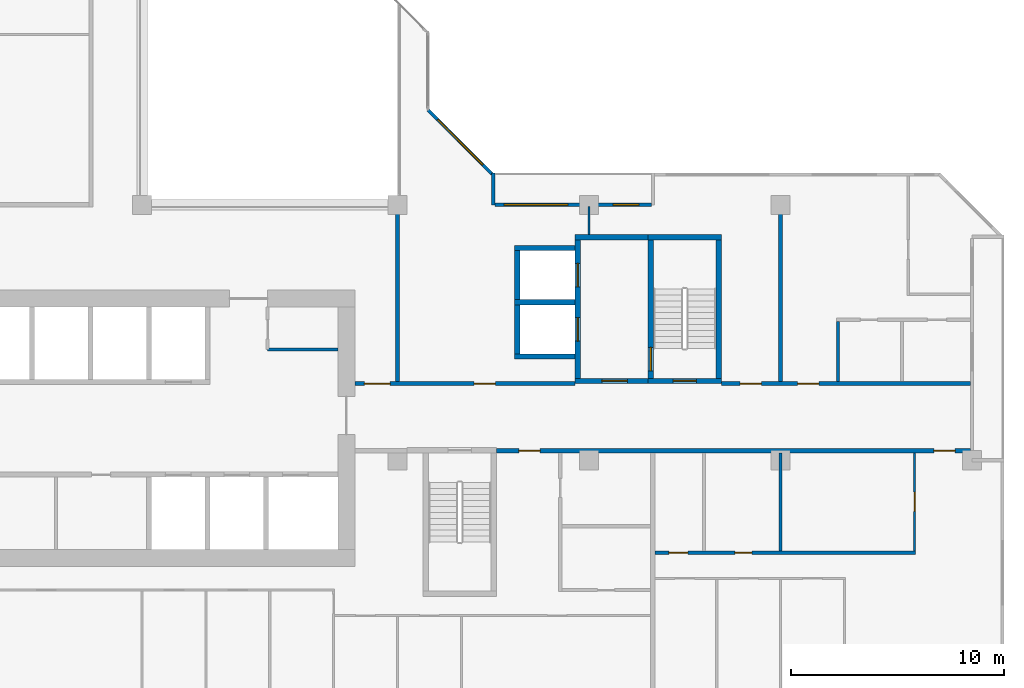
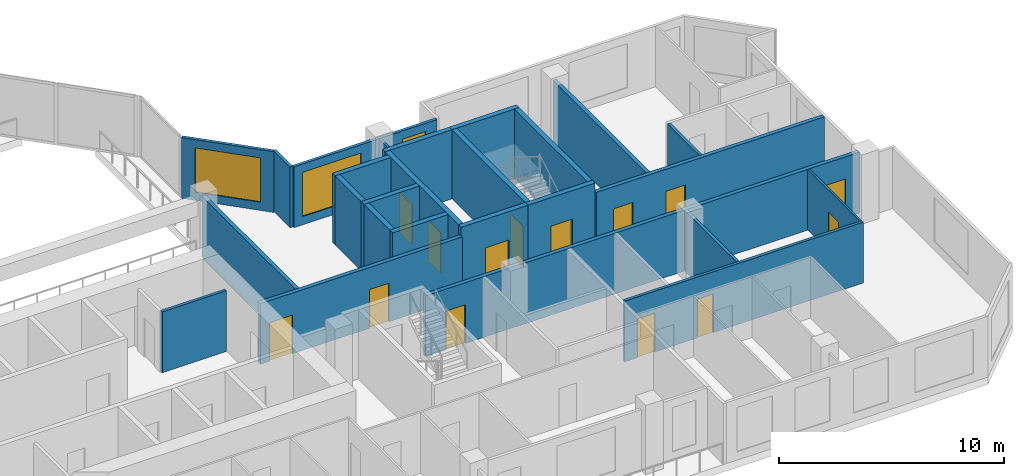
# One storey, part 7 of 15: 26 walls, 14 doors, 3 windows, 17 openings.
"""IFC4 building model written with IfcOpenShell, lengths in metres."""

from ifc_helpers import new_model, si_unit, direction, frame, frame_2d, origin, place, context, subcontext, project, spatial, rectangle, extrude, material, layer, layer_set, type_object, element, fill, save


model = new_model("IFC4")

# Units and contexts
model_context = context("Model", 3, precision=1e-05, world=origin(), true_north=direction((0.0, 1.0)))
body_context = subcontext(model_context, "Body", "Model", "MODEL_VIEW")
ifc_project = project(units=[si_unit("LENGTHUNIT", "METRE"), si_unit("AREAUNIT", "SQUARE_METRE"), si_unit("VOLUMEUNIT", "CUBIC_METRE"), si_unit("PLANEANGLEUNIT", "RADIAN"), si_unit("MASSUNIT", "GRAM", prefix="KILO")], contexts=[model_context])

# Site, building, storey
site_placement = place(None, origin())
site = spatial("IfcSite", under=ifc_project, at=site_placement, CompositionType="ELEMENT")
building_placement = place(site_placement, origin())
building = spatial("IfcBuilding", under=site, at=building_placement, Name="Chenar Terraces", CompositionType="ELEMENT")
storey_placement = place(building_placement, frame((0.0, 0.0, 202.39990234375)))
storey = spatial("IfcBuildingStorey", under=building, at=storey_placement, Name="L47", CompositionType="ELEMENT", Elevation=202.39990234375)

# Wall
ifc_material_1 = material(Name="Gypsum board on steel studs", Category="steel")
ifc_layer_1 = layer(ifc_material_1, 0.14990234375)
ifc_layer_set_1 = layer_set([ifc_layer_1], Name="Gypsum board on steel studs")
wall_type_1 = type_object("IfcWallType", Name="Core partition 150 gypsum board", PredefinedType="PARTITIONING", material=ifc_layer_set_1)
wall_1_placement = place(storey_placement, frame((29.89990234375, 17.199951171875, 0.0), z_axis=(0.0, 0.0, 1.0), x_axis=(1.0, 0.0, 0.0)))
element("IfcWall", 1, at=wall_1_placement, inside=storey, type_object=wall_type_1, Name="Core partition CP1 vestibule room south wall", PredefinedType="PARTITIONING", context=body_context, shape_type="SweptSolid", body=[
    extrude(rectangle(XDim=3.300048828125, YDim=0.14990234375, at=frame_2d((1.64990234375, 0.0))), origin(), (0.0, 0.0, 1.0), 3.300048828125),
])

# Wall, opening, door
ifc_material_2 = material(Name="Concrete C60/75", Category="concrete")
ifc_layer_2 = layer(ifc_material_2, 0.25)
ifc_layer_set_2 = layer_set([ifc_layer_2], Name="Concrete C60/75")
wall_type_2 = type_object("IfcWallType", Name="Core wall 250 Concrete C60/75", PredefinedType="SHEAR", material=ifc_layer_set_2)
wall_2_placement = place(storey_placement, frame((47.77490234375, 15.72509765625, 0.0), z_axis=(0.0, 0.0, 1.0), x_axis=(1.0, 0.0, 0.0)))
wall_2 = element("IfcWall", 2, at=wall_2_placement, inside=storey, type_object=wall_type_2, Name="Core wall ST3_S L47", PredefinedType="SHEAR", context=body_context, shape_type="SweptSolid", body=[
    extrude(rectangle(XDim=3.4501953125, YDim=0.25, at=frame_2d((1.72509765625, 0.0))), origin(), (0.0, 0.0, 1.0), 3.75),
])
opening_1_placement = place(wall_2_placement, frame((1.175048828125, 0.0, 0.0)))
opening_1 = element("IfcOpeningElement", 3, at=opening_1_placement, cuts=wall_2, Name="Opening DL47-C8", PredefinedType="OPENING", context=body_context, shape_type="SweptSolid", body=[
    extrude(rectangle(XDim=1.10009765625, YDim=2.199951171875, at=frame_2d((0.550048828125, 1.10009765625))), frame((0.0, 0.135009765625, 0.0), z_axis=(0.0, -1.0, 0.0), x_axis=(1.0, 0.0, 0.0)), (0.0, 0.0, 1.0), 0.27001953125),
])
ifc_material_3 = material(Name="Steel-framed fire-resisting door leaf", Category="steel")
door_type_1 = type_object("IfcDoorType", Name="Stair fire door FD60 1100 x 2200", OperationType="SINGLE_SWING_LEFT", PredefinedType="DOOR", material=ifc_material_3)
door_1_placement = place(opening_1_placement, frame((1.10009765625, 0.0, 0.0), z_axis=(0.0, 0.0, 1.0), x_axis=(-1.0, 0.0, 0.0)))
door_1 = element("IfcDoor", 4, at=door_1_placement, inside=storey, type_object=door_type_1, Name="Stair door DL47-C8", OperationType="SINGLE_SWING_LEFT", OverallHeight=2.199951171875, OverallWidth=1.10009765625, PredefinedType="DOOR", context=body_context, shape_type="SweptSolid", body=[
    extrude(rectangle(XDim=1.10009765625, YDim=2.199951171875, at=frame_2d((0.550048828125, 1.10009765625))), frame((0.0, 0.02490234375, 0.0), z_axis=(0.0, -1.0, 0.0), x_axis=(1.0, 0.0, 0.0)), (0.0, 0.0, 1.0), 0.050048828125),
])
fill(opening_1, door_1)

# Wall
wall_3_placement = place(storey_placement, frame((47.77490234375, 22.47509765625, 0.0), z_axis=(0.0, 0.0, 1.0), x_axis=(1.0, 0.0, 0.0)))
element("IfcWall", 5, at=wall_3_placement, inside=storey, type_object=wall_type_2, Name="Core wall ST3_N L47", PredefinedType="SHEAR", context=body_context, shape_type="SweptSolid", body=[
    extrude(rectangle(XDim=3.4501953125, YDim=0.25, at=frame_2d((1.72509765625, 0.0))), origin(), (0.0, 0.0, 1.0), 3.75),
])

# Wall, opening, door
wall_4_placement = place(storey_placement, frame((47.89990234375, 15.85009765625, 0.0), z_axis=(0.0, 0.0, 1.0), x_axis=(0.0, 1.0, 0.0)))
wall_4 = element("IfcWall", 6, at=wall_4_placement, inside=storey, type_object=wall_type_2, Name="Core wall ST3_W L47", PredefinedType="SHEAR", context=body_context, shape_type="SweptSolid", body=[
    extrude(rectangle(XDim=6.5, YDim=0.25, at=frame_2d((3.25, 0.0))), origin(), (0.0, 0.0, 1.0), 3.75),
])
opening_2_placement = place(wall_4_placement, frame((0.35009765625, 0.0, 0.0)))
opening_2 = element("IfcOpeningElement", 7, at=opening_2_placement, cuts=wall_4, Name="Opening DL47-C11", PredefinedType="OPENING", context=body_context, shape_type="SweptSolid", body=[
    extrude(rectangle(XDim=1.10009765625, YDim=2.199951171875, at=frame_2d((0.550048828125, 1.10009765625))), frame((0.0, 0.135009765625, 0.0), z_axis=(0.0, -1.0, 0.0), x_axis=(1.0, 0.0, 0.0)), (0.0, 0.0, 1.0), 0.27001953125),
])
door_2_placement = place(opening_2_placement, frame((1.10009765625, 0.0, 0.0), z_axis=(0.0, 0.0, 1.0), x_axis=(-1.0, 0.0, 0.0)))
door_2 = element("IfcDoor", 8, at=door_2_placement, inside=storey, type_object=door_type_1, Name="Stair door DL47-C11", OperationType="SINGLE_SWING_RIGHT", OverallHeight=2.199951171875, OverallWidth=1.10009765625, PredefinedType="DOOR", context=body_context, shape_type="SweptSolid", body=[
    extrude(rectangle(XDim=1.10009765625, YDim=2.199951171875, at=frame_2d((0.550048828125, 1.10009765625))), frame((0.0, 0.02490234375, 0.0), z_axis=(0.0, -1.0, 0.0), x_axis=(1.0, 0.0, 0.0)), (0.0, 0.0, 1.0), 0.050048828125),
])
fill(opening_2, door_2)

# Wall
wall_5_placement = place(storey_placement, frame((51.10009765625, 15.85009765625, 0.0), z_axis=(0.0, 0.0, 1.0), x_axis=(0.0, 1.0, 0.0)))
element("IfcWall", 9, at=wall_5_placement, inside=storey, type_object=wall_type_2, Name="Core wall ST3_E L47", PredefinedType="SHEAR", context=body_context, shape_type="SweptSolid", body=[
    extrude(rectangle(XDim=6.5, YDim=0.25, at=frame_2d((3.25, 0.0))), origin(), (0.0, 0.0, 1.0), 3.75),
])

# Wall, opening, door
wall_6_placement = place(storey_placement, frame((44.35009765625, 15.72509765625, 0.0), z_axis=(0.0, 0.0, 1.0), x_axis=(1.0, 0.0, 0.0)))
wall_6 = element("IfcWall", 10, at=wall_6_placement, inside=storey, type_object=wall_type_2, Name="Core wall F3_LS L47", PredefinedType="SHEAR", context=body_context, shape_type="SweptSolid", body=[
    extrude(rectangle(XDim=3.4248046875, YDim=0.25, at=frame_2d((1.71240234375, 0.0))), origin(), (0.0, 0.0, 1.0), 3.75),
])
opening_3_placement = place(wall_6_placement, frame((1.25, 0.0, 0.0)))
opening_3 = element("IfcOpeningElement", 11, at=opening_3_placement, cuts=wall_6, Name="Opening DL47-C10", PredefinedType="OPENING", context=body_context, shape_type="SweptSolid", body=[
    extrude(rectangle(XDim=1.199951171875, YDim=2.199951171875, at=frame_2d((0.60009765625, 1.10009765625))), frame((0.0, 0.135009765625, 0.0), z_axis=(0.0, -1.0, 0.0), x_axis=(1.0, 0.0, 0.0)), (0.0, 0.0, 1.0), 0.27001953125),
])
ifc_material_4 = material(Name="Steel-framed fire-resisting door leaf", Category="steel")
door_type_2 = type_object("IfcDoorType", Name="Lobby fire door FD60 1200 x 2200", OperationType="SINGLE_SWING_LEFT", PredefinedType="DOOR", material=ifc_material_4)
door_3_placement = place(opening_3_placement, origin())
door_3 = element("IfcDoor", 12, at=door_3_placement, inside=storey, type_object=door_type_2, Name="Core door DL47-C10", OperationType="SINGLE_SWING_RIGHT", OverallHeight=2.199951171875, OverallWidth=1.199951171875, PredefinedType="DOOR", context=body_context, shape_type="SweptSolid", body=[
    extrude(rectangle(XDim=1.199951171875, YDim=2.199951171875, at=frame_2d((0.60009765625, 1.10009765625))), frame((0.0, 0.02490234375, 0.0), z_axis=(0.0, -1.0, 0.0), x_axis=(1.0, 0.0, 0.0)), (0.0, 0.0, 1.0), 0.050048828125),
])
fill(opening_3, door_3)

# Wall
wall_7_placement = place(storey_placement, frame((44.35009765625, 22.47509765625, 0.0), z_axis=(0.0, 0.0, 1.0), x_axis=(1.0, 0.0, 0.0)))
element("IfcWall", 13, at=wall_7_placement, inside=storey, type_object=wall_type_2, Name="Core wall F3_LN L47", PredefinedType="SHEAR", context=body_context, shape_type="SweptSolid", body=[
    extrude(rectangle(XDim=3.4248046875, YDim=0.25, at=frame_2d((1.71240234375, 0.0))), origin(), (0.0, 0.0, 1.0), 3.75),
])

# Wall, openings, doors
wall_8_placement = place(storey_placement, frame((44.47509765625, 15.85009765625, 0.0), z_axis=(0.0, 0.0, 1.0), x_axis=(0.0, 1.0, 0.0)))
wall_8 = element("IfcWall", 14, at=wall_8_placement, inside=storey, type_object=wall_type_2, Name="Core wall F3_LW L47", PredefinedType="SHEAR", context=body_context, shape_type="SweptSolid", body=[
    extrude(rectangle(XDim=6.5, YDim=0.25, at=frame_2d((3.25, 0.0))), origin(), (0.0, 0.0, 1.0), 3.75),
])
opening_4_placement = place(wall_8_placement, frame((1.75, 0.0, 0.0)))
opening_4 = element("IfcOpeningElement", 15, at=opening_4_placement, cuts=wall_8, Name="Opening DL47-LD8", PredefinedType="OPENING", context=body_context, shape_type="SweptSolid", body=[
    extrude(rectangle(XDim=1.10009765625, YDim=2.199951171875, at=frame_2d((0.550048828125, 1.10009765625))), frame((0.0, 0.135009765625, 0.0), z_axis=(0.0, -1.0, 0.0), x_axis=(1.0, 0.0, 0.0)), (0.0, 0.0, 1.0), 0.27001953125),
])
opening_5_placement = place(wall_8_placement, frame((4.300048828125, 0.0, 0.0)))
opening_5 = element("IfcOpeningElement", 16, at=opening_5_placement, cuts=wall_8, Name="Opening DL47-LD9", PredefinedType="OPENING", context=body_context, shape_type="SweptSolid", body=[
    extrude(rectangle(XDim=1.10009765625, YDim=2.199951171875, at=frame_2d((0.550048828125, 1.10009765625))), frame((0.0, 0.135009765625, 0.0), z_axis=(0.0, -1.0, 0.0), x_axis=(1.0, 0.0, 0.0)), (0.0, 0.0, 1.0), 0.27001953125),
])
ifc_material_5 = material(Name="Stainless steel", Category="steel")
door_type_3 = type_object("IfcDoorType", Name="Lift landing door 1100 x 2200 sliding", OperationType="DOUBLE_DOOR_SLIDING", PredefinedType="DOOR", material=ifc_material_5)
door_4_placement = place(opening_4_placement, origin())
door_4 = element("IfcDoor", 17, at=door_4_placement, inside=storey, type_object=door_type_3, Name="Landing door F3", OperationType="DOUBLE_DOOR_SLIDING", OverallHeight=2.199951171875, OverallWidth=1.10009765625, PredefinedType="DOOR", context=body_context, shape_type="SweptSolid", body=[
    extrude(rectangle(XDim=1.10009765625, YDim=2.199951171875, at=frame_2d((0.550048828125, 1.10009765625))), frame((0.0, 0.02490234375, 0.0), z_axis=(0.0, -1.0, 0.0), x_axis=(1.0, 0.0, 0.0)), (0.0, 0.0, 1.0), 0.050048828125),
])
fill(opening_4, door_4)
door_5_placement = place(opening_5_placement, origin())
door_5 = element("IfcDoor", 18, at=door_5_placement, inside=storey, type_object=door_type_3, Name="Landing door F4", OperationType="DOUBLE_DOOR_SLIDING", OverallHeight=2.199951171875, OverallWidth=1.10009765625, PredefinedType="DOOR", context=body_context, shape_type="SweptSolid", body=[
    extrude(rectangle(XDim=1.10009765625, YDim=2.199951171875, at=frame_2d((0.550048828125, 1.10009765625))), frame((0.0, 0.02490234375, 0.0), z_axis=(0.0, -1.0, 0.0), x_axis=(1.0, 0.0, 0.0)), (0.0, 0.0, 1.0), 0.050048828125),
])
fill(opening_5, door_5)

# Walls
for number, where, z_axis, x_axis, name in (
    (19, (41.5, 16.875, 0.0), (0.0, 0.0, 1.0), (1.0, 0.0, 0.0), "Core wall F3_SS L47"),
    (20, (41.5, 19.425048828125, 0.0), (0.0, 0.0, 1.0), (1.0, 0.0, 0.0), "Core wall F3_SM L47"),
    (21, (41.5, 21.97509765625, 0.0), (0.0, 0.0, 1.0), (1.0, 0.0, 0.0), "Core wall F4_SN L47"),
):
    element("IfcWall", number, at=place(storey_placement, frame(where, z_axis=z_axis, x_axis=x_axis)), inside=storey, type_object=wall_type_2, Name=name, PredefinedType="SHEAR", context=body_context, shape_type="SweptSolid", body=[
        extrude(rectangle(XDim=2.85009765625, YDim=0.25, at=frame_2d((1.425048828125, 0.0))), origin(), (0.0, 0.0, 1.0), 3.75),
    ])
for number, where, z_axis, x_axis, name in (
    (22, (41.625, 17.0, 0.0), (0.0, 0.0, 1.0), (0.0, 1.0, 0.0), "Core wall F3_SW L47"),
    (23, (41.625, 19.550048828125, 0.0), (0.0, 0.0, 1.0), (0.0, 1.0, 0.0), "Core wall F4_SW L47"),
):
    element("IfcWall", number, at=place(storey_placement, frame(where, z_axis=z_axis, x_axis=x_axis)), inside=storey, type_object=wall_type_2, Name=name, PredefinedType="SHEAR", context=body_context, shape_type="SweptSolid", body=[
        extrude(rectangle(XDim=2.300048828125, YDim=0.25, at=frame_2d((1.14990234375, 0.0))), origin(), (0.0, 0.0, 1.0), 3.75),
    ])

# Wall, openings, doors
ifc_material_6 = material(Name="Gypsum board on steel studs with fire boards", Category="steel")
ifc_layer_3 = layer(ifc_material_6, 0.199951171875)
ifc_layer_set_3 = layer_set([ifc_layer_3], Name="Gypsum board on steel studs with fire boards")
wall_type_3 = type_object("IfcWallType", Name="Corridor wall 200", PredefinedType="PARTITIONING", material=ifc_layer_set_3)
wall_9_placement = place(storey_placement, frame((34.0, 15.60009765625, 0.0), z_axis=(0.0, 0.0, 1.0), x_axis=(1.0, 0.0, 0.0)))
wall_9 = element("IfcWall", 24, at=wall_9_placement, inside=storey, type_object=wall_type_3, Name="Partition L47-065", PredefinedType="PARTITIONING", context=body_context, shape_type="SweptSolid", body=[
    extrude(rectangle(XDim=10.35009765625, YDim=0.199951171875, at=frame_2d((5.175048828125, 0.0))), origin(), (0.0, 0.0, 1.0), 3.300048828125),
])
opening_6_placement = place(wall_9_placement, frame((5.60009765625, 0.0, 0.0)))
opening_6 = element("IfcOpeningElement", 25, at=opening_6_placement, cuts=wall_9, Name="Opening DL47-3", PredefinedType="OPENING", context=body_context, shape_type="SweptSolid", body=[
    extrude(rectangle(XDim=1.0, YDim=2.10009765625, at=frame_2d((0.5, 1.050048828125))), frame((0.0, 0.10986328125, 0.0), z_axis=(0.0, -1.0, 0.0), x_axis=(1.0, 0.0, 0.0)), (0.0, 0.0, 1.0), 0.219970703125),
])
opening_7_placement = place(wall_9_placement, frame((0.449951171875, 0.0, 0.0)))
opening_7 = element("IfcOpeningElement", 26, at=opening_7_placement, cuts=wall_9, Name="Opening DL47-37", PredefinedType="OPENING", context=body_context, shape_type="SweptSolid", body=[
    extrude(rectangle(XDim=1.199951171875, YDim=2.10009765625, at=frame_2d((0.60009765625, 1.050048828125))), frame((0.0, 0.10986328125, 0.0), z_axis=(0.0, -1.0, 0.0), x_axis=(1.0, 0.0, 0.0)), (0.0, 0.0, 1.0), 0.219970703125),
])
ifc_material_7 = material(Name="Steel-framed fire-resisting door leaf", Category="steel")
door_type_4 = type_object("IfcDoorType", Name="Fire door FD60 1000 x 2100", OperationType="SINGLE_SWING_LEFT", PredefinedType="DOOR", material=ifc_material_7)
door_6_placement = place(opening_6_placement, origin())
door_6 = element("IfcDoor", 27, at=door_6_placement, inside=storey, type_object=door_type_4, Name="Door DL47-3", OperationType="SINGLE_SWING_RIGHT", OverallHeight=2.10009765625, OverallWidth=1.0, PredefinedType="DOOR", context=body_context, shape_type="SweptSolid", body=[
    extrude(rectangle(XDim=1.0, YDim=2.10009765625, at=frame_2d((0.5, 1.050048828125))), frame((0.0, 0.02490234375, 0.0), z_axis=(0.0, -1.0, 0.0), x_axis=(1.0, 0.0, 0.0)), (0.0, 0.0, 1.0), 0.050048828125),
])
fill(opening_6, door_6)
ifc_material_8 = material(Name="Steel-framed fire-resisting door leaf", Category="steel")
door_type_5 = type_object("IfcDoorType", Name="Fire door FD60 1200 x 2100", OperationType="SINGLE_SWING_LEFT", PredefinedType="DOOR", material=ifc_material_8)
door_7_placement = place(opening_7_placement, origin())
door_7 = element("IfcDoor", 28, at=door_7_placement, inside=storey, type_object=door_type_5, Name="Door DL47-37", OperationType="SINGLE_SWING_RIGHT", OverallHeight=2.10009765625, OverallWidth=1.199951171875, PredefinedType="DOOR", context=body_context, shape_type="SweptSolid", body=[
    extrude(rectangle(XDim=1.199951171875, YDim=2.10009765625, at=frame_2d((0.60009765625, 1.050048828125))), frame((0.0, 0.02490234375, 0.0), z_axis=(0.0, -1.0, 0.0), x_axis=(1.0, 0.0, 0.0)), (0.0, 0.0, 1.0), 0.050048828125),
])
fill(opening_7, door_7)

# Wall
wall_10_placement = place(storey_placement, frame((36.0, 15.699951171875, 0.0), z_axis=(0.0, 0.0, 1.0), x_axis=(0.0, 1.0, 0.0)))
element("IfcWall", 29, at=wall_10_placement, inside=storey, type_object=wall_type_3, Name="Partition L47-067", PredefinedType="PARTITIONING", context=body_context, shape_type="SweptSolid", body=[
    extrude(rectangle(XDim=8.300048828125, YDim=0.199951171875, at=frame_2d((4.14990234375, 0.0))), origin(), (0.0, 0.0, 1.0), 3.300048828125),
])

# Wall, openings, doors
wall_11_placement = place(storey_placement, frame((40.64990234375, 12.449951171875, 0.0), z_axis=(0.0, 0.0, 1.0), x_axis=(1.0, 0.0, 0.0)))
wall_11 = element("IfcWall", 30, at=wall_11_placement, inside=storey, type_object=wall_type_3, Name="Partition L47-069", PredefinedType="PARTITIONING", context=body_context, shape_type="SweptSolid", body=[
    extrude(rectangle(XDim=22.276123046875, YDim=0.199951171875, at=frame_2d((11.13818359375, 0.0))), origin(), (0.0, 0.0, 1.0), 3.300048828125),
])
opening_8_placement = place(wall_11_placement, frame((20.550048828125, 0.0, 0.0)))
opening_8 = element("IfcOpeningElement", 31, at=opening_8_placement, cuts=wall_11, Name="Opening DL47-13", PredefinedType="OPENING", context=body_context, shape_type="SweptSolid", body=[
    extrude(rectangle(XDim=1.0, YDim=2.10009765625, at=frame_2d((0.5, 1.050048828125))), frame((0.0, 0.10986328125, 0.0), z_axis=(0.0, -1.0, 0.0), x_axis=(1.0, 0.0, 0.0)), (0.0, 0.0, 1.0), 0.219970703125),
])
opening_9_placement = place(wall_11_placement, frame((1.050048828125, 0.0, 0.0)))
opening_9 = element("IfcOpeningElement", 32, at=opening_9_placement, cuts=wall_11, Name="Opening DL47-52", PredefinedType="OPENING", context=body_context, shape_type="SweptSolid", body=[
    extrude(rectangle(XDim=1.0, YDim=2.10009765625, at=frame_2d((0.5, 1.050048828125))), frame((0.0, 0.10986328125, 0.0), z_axis=(0.0, -1.0, 0.0), x_axis=(1.0, 0.0, 0.0)), (0.0, 0.0, 1.0), 0.219970703125),
])
ifc_material_9 = material(Name="Steel-framed fire-resisting door leaf", Category="steel")
door_type_6 = type_object("IfcDoorType", Name="Fire door FD30S 1000 x 2100", OperationType="SINGLE_SWING_LEFT", PredefinedType="DOOR", material=ifc_material_9)
door_8_placement = place(opening_8_placement, frame((1.0, 0.0, 0.0), z_axis=(0.0, 0.0, 1.0), x_axis=(-1.0, 0.0, 0.0)))
door_8 = element("IfcDoor", 33, at=door_8_placement, inside=storey, type_object=door_type_6, Name="Door DL47-13", OperationType="SINGLE_SWING_LEFT", OverallHeight=2.10009765625, OverallWidth=1.0, PredefinedType="DOOR", context=body_context, shape_type="SweptSolid", body=[
    extrude(rectangle(XDim=1.0, YDim=2.10009765625, at=frame_2d((0.5, 1.050048828125))), frame((0.0, 0.02490234375, 0.0), z_axis=(0.0, -1.0, 0.0), x_axis=(1.0, 0.0, 0.0)), (0.0, 0.0, 1.0), 0.050048828125),
])
fill(opening_8, door_8)
door_9_placement = place(opening_9_placement, origin())
door_9 = element("IfcDoor", 34, at=door_9_placement, inside=storey, type_object=door_type_6, Name="Door DL47-52", OperationType="SINGLE_SWING_LEFT", OverallHeight=2.10009765625, OverallWidth=1.0, PredefinedType="DOOR", context=body_context, shape_type="SweptSolid", body=[
    extrude(rectangle(XDim=1.0, YDim=2.10009765625, at=frame_2d((0.5, 1.050048828125))), frame((0.0, 0.02490234375, 0.0), z_axis=(0.0, -1.0, 0.0), x_axis=(1.0, 0.0, 0.0)), (0.0, 0.0, 1.0), 0.050048828125),
])
fill(opening_9, door_9)

wall_12_placement = place(storey_placement, frame((51.22509765625, 15.60009765625, 0.0), z_axis=(0.0, 0.0, 1.0), x_axis=(1.0, 0.0, 0.0)))
wall_12 = element("IfcWall", 35, at=wall_12_placement, inside=storey, type_object=wall_type_3, Name="Partition L47-079", PredefinedType="PARTITIONING", context=body_context, shape_type="SweptSolid", body=[
    extrude(rectangle(XDim=11.700927734375, YDim=0.199951171875, at=frame_2d((5.8505859375, 0.0))), origin(), (0.0, 0.0, 1.0), 3.300048828125),
])
opening_10_placement = place(wall_12_placement, frame((3.574951171875, 0.0, 0.0)))
opening_10 = element("IfcOpeningElement", 36, at=opening_10_placement, cuts=wall_12, Name="Opening DL47-7", PredefinedType="OPENING", context=body_context, shape_type="SweptSolid", body=[
    extrude(rectangle(XDim=1.0, YDim=2.10009765625, at=frame_2d((0.5, 1.050048828125))), frame((0.0, 0.10986328125, 0.0), z_axis=(0.0, -1.0, 0.0), x_axis=(1.0, 0.0, 0.0)), (0.0, 0.0, 1.0), 0.219970703125),
])
opening_11_placement = place(wall_12_placement, frame((0.875, 0.0, 0.0)))
opening_11 = element("IfcOpeningElement", 37, at=opening_11_placement, cuts=wall_12, Name="Opening DL47-41", PredefinedType="OPENING", context=body_context, shape_type="SweptSolid", body=[
    extrude(rectangle(XDim=1.0, YDim=2.10009765625, at=frame_2d((0.5, 1.050048828125))), frame((0.0, 0.10986328125, 0.0), z_axis=(0.0, -1.0, 0.0), x_axis=(1.0, 0.0, 0.0)), (0.0, 0.0, 1.0), 0.219970703125),
])
door_10_placement = place(opening_10_placement, origin())
door_10 = element("IfcDoor", 38, at=door_10_placement, inside=storey, type_object=door_type_6, Name="Door DL47-7", OperationType="SINGLE_SWING_LEFT", OverallHeight=2.10009765625, OverallWidth=1.0, PredefinedType="DOOR", context=body_context, shape_type="SweptSolid", body=[
    extrude(rectangle(XDim=1.0, YDim=2.10009765625, at=frame_2d((0.5, 1.050048828125))), frame((0.0, 0.02490234375, 0.0), z_axis=(0.0, -1.0, 0.0), x_axis=(1.0, 0.0, 0.0)), (0.0, 0.0, 1.0), 0.050048828125),
])
fill(opening_10, door_10)
door_11_placement = place(opening_11_placement, origin())
door_11 = element("IfcDoor", 39, at=door_11_placement, inside=storey, type_object=door_type_6, Name="Door DL47-41", OperationType="SINGLE_SWING_RIGHT", OverallHeight=2.10009765625, OverallWidth=1.0, PredefinedType="DOOR", context=body_context, shape_type="SweptSolid", body=[
    extrude(rectangle(XDim=1.0, YDim=2.10009765625, at=frame_2d((0.5, 1.050048828125))), frame((0.0, 0.02490234375, 0.0), z_axis=(0.0, -1.0, 0.0), x_axis=(1.0, 0.0, 0.0)), (0.0, 0.0, 1.0), 0.050048828125),
])
fill(opening_11, door_11)

# Wall, openings, windows
ifc_material_10 = material(Name="Aluminium framed glazing", Category="aluminium")
ifc_layer_4 = layer(ifc_material_10, 0.14990234375)
ifc_layer_set_4 = layer_set([ifc_layer_4], Name="Aluminium framed glazing")
wall_type_4 = type_object("IfcWallType", Name="Glazed loggia back wall 150", PredefinedType="SOLIDWALL", material=ifc_layer_set_4)
wall_13_placement = place(storey_placement, frame((47.925048828125, 24.0, 0.0), z_axis=(0.0, 0.0, 1.0), x_axis=(-1.0, 0.0, 0.0)))
wall_13 = element("IfcWall", 40, at=wall_13_placement, inside=storey, type_object=wall_type_4, Name="Glazed loggia back wall", PredefinedType="SOLIDWALL", context=body_context, shape_type="SweptSolid", body=[
    extrude(rectangle(XDim=7.35009765625, YDim=0.14990234375, at=frame_2d((3.675048828125, 0.0))), origin(), (0.0, 0.0, 1.0), 3.300048828125),
])
opening_12_placement = place(wall_13_placement, frame((0.58740234375, 0.0, 0.449951171875)))
opening_12 = element("IfcOpeningElement", 41, at=opening_12_placement, cuts=wall_13, Name="Opening W120x240", PredefinedType="OPENING", context=body_context, shape_type="SweptSolid", body=[
    extrude(rectangle(XDim=1.199951171875, YDim=2.39990234375, at=frame_2d((0.60009765625, 1.199951171875))), frame((0.0, 0.0849609375, 0.0), z_axis=(0.0, -1.0, 0.0), x_axis=(1.0, 0.0, 0.0)), (0.0, 0.0, 1.0), 0.169921875),
])
opening_13_placement = place(wall_13_placement, frame((3.91259765625, 0.0, 0.449951171875)))
opening_13 = element("IfcOpeningElement", 42, at=opening_13_placement, cuts=wall_13, Name="Opening W300x240", PredefinedType="OPENING", context=body_context, shape_type="SweptSolid", body=[
    extrude(rectangle(XDim=3.0, YDim=2.39990234375, at=frame_2d((1.5, 1.199951171875))), frame((0.0, 0.0849609375, 0.0), z_axis=(0.0, -1.0, 0.0), x_axis=(1.0, 0.0, 0.0)), (0.0, 0.0, 1.0), 0.169921875),
])
ifc_material_11 = material(Name="Low emissivity double glazing, aluminium frame", Category="aluminium")
window_type_1 = type_object("IfcWindowType", Name="Fixed light 1200 x 2400", PartitioningType="SINGLE_PANEL", PredefinedType="WINDOW", material=ifc_material_11)
window_1_placement = place(opening_12_placement, origin())
window_1 = element("IfcWindow", 43, at=window_1_placement, inside=storey, type_object=window_type_1, Name="Window", OverallHeight=2.39990234375, OverallWidth=1.199951171875, PartitioningType="SINGLE_PANEL", PredefinedType="WINDOW", context=body_context, shape_type="SweptSolid", body=[
    extrude(rectangle(XDim=1.199951171875, YDim=2.39990234375, at=frame_2d((0.60009765625, 1.199951171875))), frame((0.0, 0.030029296875, 0.0), z_axis=(0.0, -1.0, 0.0), x_axis=(1.0, 0.0, 0.0)), (0.0, 0.0, 1.0), 0.06005859375),
])
fill(opening_12, window_1)
ifc_material_12 = material(Name="Low emissivity double glazing, aluminium frame", Category="aluminium")
window_type_2 = type_object("IfcWindowType", Name="Fixed light 3000 x 2400", PartitioningType="SINGLE_PANEL", PredefinedType="WINDOW", material=ifc_material_12)
window_2_placement = place(opening_13_placement, origin())
window_2 = element("IfcWindow", 44, at=window_2_placement, inside=storey, type_object=window_type_2, Name="Window", OverallHeight=2.39990234375, OverallWidth=3.0, PartitioningType="SINGLE_PANEL", PredefinedType="WINDOW", context=body_context, shape_type="SweptSolid", body=[
    extrude(rectangle(XDim=3.0, YDim=2.39990234375, at=frame_2d((1.5, 1.199951171875))), frame((0.0, 0.030029296875, 0.0), z_axis=(0.0, -1.0, 0.0), x_axis=(1.0, 0.0, 0.0)), (0.0, 0.0, 1.0), 0.06005859375),
])
fill(opening_13, window_2)

# Wall
ifc_material_13 = material(Name="Gypsum board on steel studs", Category="steel")
ifc_layer_5 = layer(ifc_material_13, 0.10009765625)
ifc_layer_set_5 = layer_set([ifc_layer_5], Name="Gypsum board on steel studs")
wall_type_5 = type_object("IfcWallType", Name="Gypsum partition 100", PredefinedType="PARTITIONING", material=ifc_layer_set_5)
wall_14_placement = place(storey_placement, frame((45.0, 22.60009765625, 0.0), z_axis=(0.0, 0.0, 1.0), x_axis=(0.0, 1.0, 0.0)))
element("IfcWall", 45, at=wall_14_placement, inside=storey, type_object=wall_type_5, Name="Partition L47-073", PredefinedType="PARTITIONING", context=body_context, shape_type="SweptSolid", body=[
    extrude(rectangle(XDim=1.325927734375, YDim=0.10009765625, at=frame_2d((0.6630859375, 0.0))), origin(), (0.0, 0.0, 1.0), 3.300048828125),
])

# Wall, opening, door
wall_15_placement = place(storey_placement, frame((60.300048828125, 7.72509765625, 0.0), z_axis=(0.0, 0.0, 1.0), x_axis=(0.0, 1.0, 0.0)))
wall_15 = element("IfcWall", 46, at=wall_15_placement, inside=storey, type_object=wall_type_5, Name="Partition L47-089", PredefinedType="PARTITIONING", context=body_context, shape_type="SweptSolid", body=[
    extrude(rectangle(XDim=4.625, YDim=0.10009765625, at=frame_2d((2.3125, 0.0))), origin(), (0.0, 0.0, 1.0), 3.300048828125),
])
opening_14_placement = place(wall_15_placement, frame((1.875, 0.0, 0.0)))
opening_14 = element("IfcOpeningElement", 47, at=opening_14_placement, cuts=wall_15, Name="Opening DL47-12", PredefinedType="OPENING", context=body_context, shape_type="SweptSolid", body=[
    extrude(rectangle(XDim=0.89990234375, YDim=2.10009765625, at=frame_2d((0.449951171875, 1.050048828125))), frame((0.0, 0.06005859375, 0.0), z_axis=(0.0, -1.0, 0.0), x_axis=(1.0, 0.0, 0.0)), (0.0, 0.0, 1.0), 0.1201171875),
])
ifc_material_14 = material(Name="Veneered timber door leaf", Category="wood")
door_type_7 = type_object("IfcDoorType", Name="Door 900 x 2100", OperationType="SINGLE_SWING_LEFT", PredefinedType="DOOR", material=ifc_material_14)
door_12_placement = place(opening_14_placement, origin())
door_12 = element("IfcDoor", 48, at=door_12_placement, inside=storey, type_object=door_type_7, Name="Door DL47-12", OperationType="SINGLE_SWING_LEFT", OverallHeight=2.10009765625, OverallWidth=0.89990234375, PredefinedType="DOOR", context=body_context, shape_type="SweptSolid", body=[
    extrude(rectangle(XDim=0.89990234375, YDim=2.10009765625, at=frame_2d((0.449951171875, 1.050048828125))), frame((0.0, 0.02490234375, 0.0), z_axis=(0.0, -1.0, 0.0), x_axis=(1.0, 0.0, 0.0)), (0.0, 0.0, 1.0), 0.050048828125),
])
fill(opening_14, door_12)

# Wall
ifc_material_15 = material(Name="Terracotta cladding on insulated backing", Category="masonry")
ifc_layer_6 = layer(ifc_material_15, 0.14990234375)
ifc_layer_set_6 = layer_set([ifc_layer_6], Name="Terracotta cladding on insulated backing")
wall_type_6 = type_object("IfcWallType", Name="Loggia return wall 150", PredefinedType="SOLIDWALL", material=ifc_layer_set_6)
wall_16_placement = place(storey_placement, frame((40.5, 25.5, 0.0), z_axis=(0.0, 0.0, 1.0), x_axis=(0.0, -1.0, 0.0)))
element("IfcWall", 49, at=wall_16_placement, inside=storey, type_object=wall_type_6, Name="Loggia return wall", PredefinedType="SOLIDWALL", context=body_context, shape_type="SweptSolid", body=[
    extrude(rectangle(XDim=1.5, YDim=0.14990234375, at=frame_2d((0.75, 0.0))), origin(), (0.0, 0.0, 1.0), 3.300048828125),
])

# Wall, opening, window
ifc_material_16 = material(Name="Terracotta cladding on insulated backing", Category="masonry")
ifc_layer_7 = layer(ifc_material_16, 0.14990234375)
ifc_layer_set_7 = layer_set([ifc_layer_7], Name="Terracotta cladding on insulated backing")
wall_type_7 = type_object("IfcWallType", Name="Terracotta rainscreen wall 150", PredefinedType="SOLIDWALL", material=ifc_layer_set_7)
wall_17_placement = place(storey_placement, frame((40.447021484375, 25.447021484375, 0.0), z_axis=(0.0, 0.0, 1.0), x_axis=(-0.707106781187, 0.707106781187, 0.0)))
wall_17 = element("IfcWall", 50, at=wall_17_placement, inside=storey, type_object=wall_type_7, Name="Terracotta rainscreen wall", PredefinedType="SOLIDWALL", context=body_context, shape_type="SweptSolid", body=[
    extrude(rectangle(XDim=4.24267578125, YDim=0.14990234375, at=frame_2d((2.121337890625, 0.0))), origin(), (0.0, 0.0, 1.0), 3.300048828125),
])
opening_15_placement = place(wall_17_placement, frame((0.621337890625, 0.0, 0.449951171875)))
opening_15 = element("IfcOpeningElement", 51, at=opening_15_placement, cuts=wall_17, Name="Opening W300x240", PredefinedType="OPENING", context=body_context, shape_type="SweptSolid", body=[
    extrude(rectangle(XDim=3.0, YDim=2.39990234375, at=frame_2d((1.5, 1.199951171875))), frame((0.0, 0.0849609375, 0.0), z_axis=(0.0, -1.0, 0.0), x_axis=(1.0, 0.0, 0.0)), (0.0, 0.0, 1.0), 0.169921875),
])
window_3_placement = place(opening_15_placement, origin())
window_3 = element("IfcWindow", 52, at=window_3_placement, inside=storey, type_object=window_type_2, Name="Window", OverallHeight=2.39990234375, OverallWidth=3.0, PartitioningType="SINGLE_PANEL", PredefinedType="WINDOW", context=body_context, shape_type="SweptSolid", body=[
    extrude(rectangle(XDim=3.0, YDim=2.39990234375, at=frame_2d((1.5, 1.199951171875))), frame((0.0, 0.030029296875, 0.0), z_axis=(0.0, -1.0, 0.0), x_axis=(1.0, 0.0, 0.0)), (0.0, 0.0, 1.0), 0.06005859375),
])
fill(opening_15, window_3)

# Wall
ifc_material_17 = material(Name="Twin gypsum board on steel studs with mineral wool", Category="steel")
ifc_layer_8 = layer(ifc_material_17, 0.199951171875)
ifc_layer_set_8 = layer_set([ifc_layer_8], Name="Twin gypsum board on steel studs with mineral wool")
wall_type_8 = type_object("IfcWallType", Name="Unit demising wall 200", PredefinedType="PARTITIONING", material=ifc_layer_set_8)
wall_18_placement = place(storey_placement, frame((54.0, 15.699951171875, 0.0), z_axis=(0.0, 0.0, 1.0), x_axis=(0.0, 1.0, 0.0)))
element("IfcWall", 53, at=wall_18_placement, inside=storey, type_object=wall_type_8, Name="Partition L47-082", PredefinedType="PARTITIONING", context=body_context, shape_type="SweptSolid", body=[
    extrude(rectangle(XDim=8.300048828125, YDim=0.199951171875, at=frame_2d((4.14990234375, 0.0))), origin(), (0.0, 0.0, 1.0), 3.300048828125),
])

# Wall, openings, doors
ifc_material_18 = material(Name="Moisture-resistant gypsum board on steel studs", Category="steel")
ifc_layer_9 = layer(ifc_material_18, 0.14990234375)
ifc_layer_set_9 = layer_set([ifc_layer_9], Name="Moisture-resistant gypsum board on steel studs")
wall_type_9 = type_object("IfcWallType", Name="Wet-room partition 150", PredefinedType="PARTITIONING", material=ifc_layer_set_9)
wall_19_placement = place(storey_placement, frame((48.10009765625, 7.64990234375, 0.0), z_axis=(0.0, 0.0, 1.0), x_axis=(1.0, 0.0, 0.0)))
wall_19 = element("IfcWall", 54, at=wall_19_placement, inside=storey, type_object=wall_type_9, Name="Partition L47-076", PredefinedType="PARTITIONING", context=body_context, shape_type="SweptSolid", body=[
    extrude(rectangle(XDim=12.25, YDim=0.14990234375, at=frame_2d((6.125, 0.0))), origin(), (0.0, 0.0, 1.0), 3.300048828125),
])
opening_16_placement = place(wall_19_placement, frame((3.75, 0.0, 0.0)))
opening_16 = element("IfcOpeningElement", 55, at=opening_16_placement, cuts=wall_19, Name="Opening DL47-8", PredefinedType="OPENING", context=body_context, shape_type="SweptSolid", body=[
    extrude(rectangle(XDim=0.800048828125, YDim=2.10009765625, at=frame_2d((0.39990234375, 1.050048828125))), frame((0.0, 0.0849609375, 0.0), z_axis=(0.0, -1.0, 0.0), x_axis=(1.0, 0.0, 0.0)), (0.0, 0.0, 1.0), 0.169921875),
])
opening_17_placement = place(wall_19_placement, frame((0.64990234375, 0.0, 0.0)))
opening_17 = element("IfcOpeningElement", 56, at=opening_17_placement, cuts=wall_19, Name="Opening DL47-14", PredefinedType="OPENING", context=body_context, shape_type="SweptSolid", body=[
    extrude(rectangle(XDim=0.89990234375, YDim=2.10009765625, at=frame_2d((0.449951171875, 1.050048828125))), frame((0.0, 0.0849609375, 0.0), z_axis=(0.0, -1.0, 0.0), x_axis=(1.0, 0.0, 0.0)), (0.0, 0.0, 1.0), 0.169921875),
])
ifc_material_19 = material(Name="Veneered timber door leaf", Category="wood")
door_type_8 = type_object("IfcDoorType", Name="Door 800 x 2100", OperationType="SINGLE_SWING_LEFT", PredefinedType="DOOR", material=ifc_material_19)
door_13_placement = place(opening_16_placement, origin())
door_13 = element("IfcDoor", 57, at=door_13_placement, inside=storey, type_object=door_type_8, Name="Door DL47-8", OperationType="SINGLE_SWING_RIGHT", OverallHeight=2.10009765625, OverallWidth=0.800048828125, PredefinedType="DOOR", context=body_context, shape_type="SweptSolid", body=[
    extrude(rectangle(XDim=0.800048828125, YDim=2.10009765625, at=frame_2d((0.39990234375, 1.050048828125))), frame((0.0, 0.02490234375, 0.0), z_axis=(0.0, -1.0, 0.0), x_axis=(1.0, 0.0, 0.0)), (0.0, 0.0, 1.0), 0.050048828125),
])
fill(opening_16, door_13)
door_14_placement = place(opening_17_placement, origin())
door_14 = element("IfcDoor", 58, at=door_14_placement, inside=storey, type_object=door_type_7, Name="Door DL47-14", OperationType="SINGLE_SWING_RIGHT", OverallHeight=2.10009765625, OverallWidth=0.89990234375, PredefinedType="DOOR", context=body_context, shape_type="SweptSolid", body=[
    extrude(rectangle(XDim=0.89990234375, YDim=2.10009765625, at=frame_2d((0.449951171875, 1.050048828125))), frame((0.0, 0.02490234375, 0.0), z_axis=(0.0, -1.0, 0.0), x_axis=(1.0, 0.0, 0.0)), (0.0, 0.0, 1.0), 0.050048828125),
])
fill(opening_17, door_14)

# Walls
wall_20_placement = place(storey_placement, frame((54.0, 7.72509765625, 0.0), z_axis=(0.0, 0.0, 1.0), x_axis=(0.0, 1.0, 0.0)))
element("IfcWall", 59, at=wall_20_placement, inside=storey, type_object=wall_type_9, Name="Partition L47-081", PredefinedType="PARTITIONING", context=body_context, shape_type="SweptSolid", body=[
    extrude(rectangle(XDim=4.625, YDim=0.14990234375, at=frame_2d((2.3125, 0.0))), origin(), (0.0, 0.0, 1.0), 3.300048828125),
])
wall_21_placement = place(storey_placement, frame((56.699951171875, 15.699951171875, 0.0), z_axis=(0.0, 0.0, 1.0), x_axis=(0.0, 1.0, 0.0)))
element("IfcWall", 60, at=wall_21_placement, inside=storey, type_object=wall_type_9, Name="Partition L47-084", PredefinedType="PARTITIONING", context=body_context, shape_type="SweptSolid", body=[
    extrude(rectangle(XDim=2.824951171875, YDim=0.14990234375, at=frame_2d((1.41259765625, 0.0))), origin(), (0.0, 0.0, 1.0), 3.300048828125),
])

save(model, "model.ifc")
